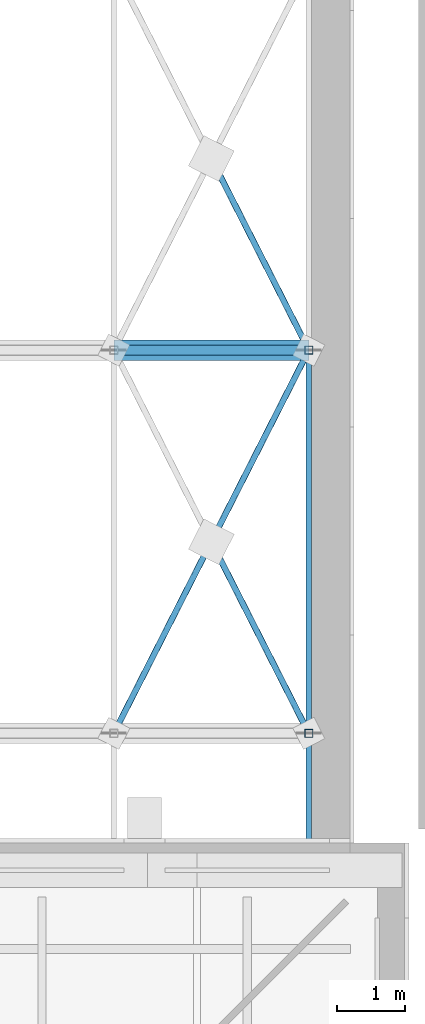
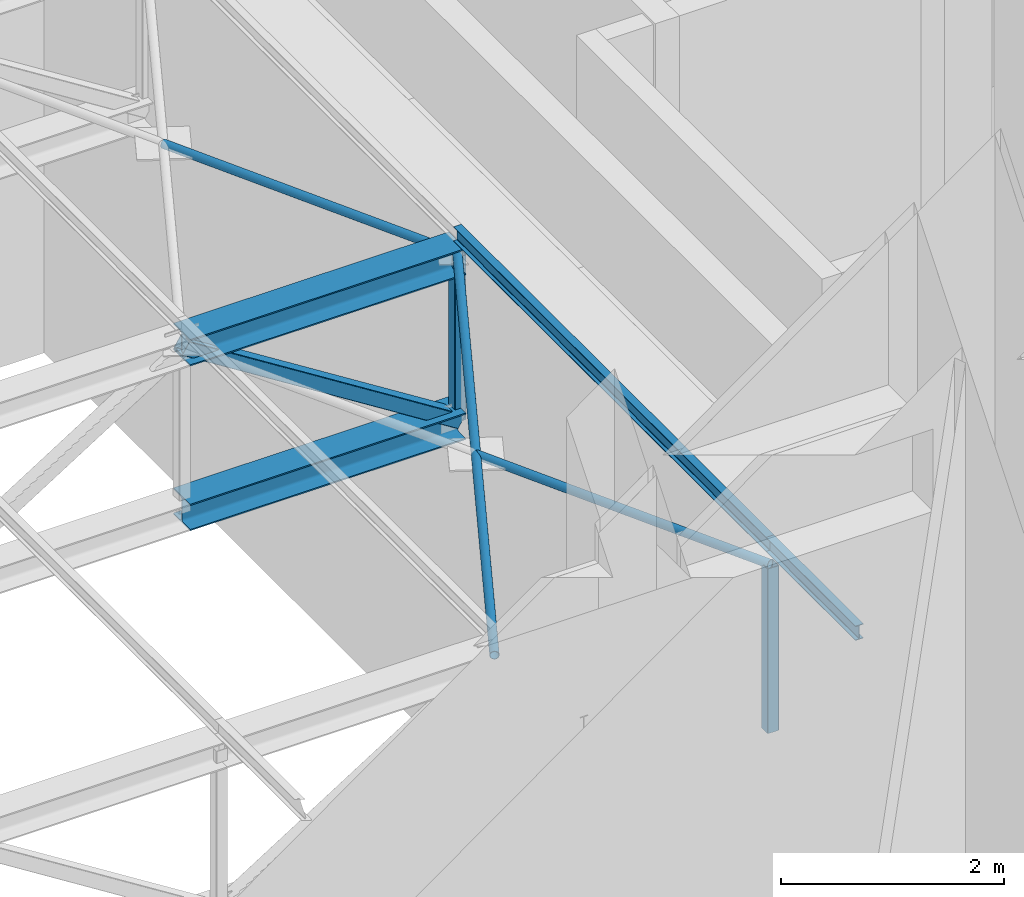
# One storey, part 41 of 55: 10 members.
"""IFC4 building model written with IfcOpenShell, lengths in metres."""

from ifc_helpers import new_model, si_unit, direction, frame, origin, origin_2d, place, context, subcontext, project, spatial, hollow_rectangle, hollow_circle, i_section, extrude, material, material_profile, profile_set, type_object, element, save


model = new_model("IFC4")

# Units and contexts
model_context = context("Model", 3, precision=1e-05, world=origin(), true_north=direction((0.0, 1.0)))
body_context = subcontext(model_context, "Body", "Model", "MODEL_VIEW")
ifc_project = project(units=[si_unit("LENGTHUNIT", "METRE"), si_unit("AREAUNIT", "SQUARE_METRE"), si_unit("VOLUMEUNIT", "CUBIC_METRE"), si_unit("PLANEANGLEUNIT", "RADIAN"), si_unit("MASSUNIT", "GRAM", prefix="KILO")], contexts=[model_context])

# Site, building, storey
site_placement = place(None, origin())
site = spatial("IfcSite", under=ifc_project, at=site_placement, CompositionType="ELEMENT")
building_placement = place(site_placement, origin())
building = spatial("IfcBuilding", under=site, at=building_placement, Name="Lunette Opera House", CompositionType="ELEMENT")
storey_placement = place(building_placement, frame((0.0, 0.0, 34.0)))
storey = spatial("IfcBuildingStorey", under=building, at=storey_placement, Name="L06", CompositionType="ELEMENT", Elevation=34.0)

# Members
ifc_material_1 = material(Name="Steel S355", Category="steel")
ifc_material_profile_1 = material_profile(ifc_material_1, hollow_circle(Radius=0.04443359375, WallThickness=0.00390625, at=origin_2d()), Name="CHS 88.9X4")
ifc_profile_set_1 = profile_set([ifc_material_profile_1], Name="Steel S355")
member_type_1 = type_object("IfcMemberType", Name="BRACING CHS 88.9X4", PredefinedType="BRACE", material=ifc_profile_set_1)
member_1_placement = place(storey_placement, frame((104.550048828125, 122.39990234375, 5.574951171875), z_axis=(0.453543338002, 0.891234223173, 0.0), x_axis=(-0.891234223173, 0.453543338002, 0.0)))
element("IfcMember", 1, at=member_1_placement, inside=storey, type_object=member_type_1, Name="mem-ST-L06-SR-TR-BRQ1P8A", PredefinedType="BRACE", context=body_context, shape_type="SweptSolid", body=[
    extrude(hollow_circle(Radius=0.04443359375, WallThickness=0.00390625, at=origin_2d()), origin(), (0.0, 0.0, 1.0), 6.283447265625),
])
for number, where, z_axis, x_axis, name in (
    (2, (107.39990234375, 122.39990234375, 5.574951171875), (-0.453512475474, 0.891249928241, 0.0), (-0.891249928241, -0.453512475474, 0.0), "mem-ST-L06-SR-TR-BRQ1P8B segment 1"),
    (3, (107.39990234375, 128.0, 5.574951171875), (-0.453512475474, 0.891249928241, 0.0), (-0.891249928241, -0.453512475474, 0.0), "mem-ST-L06-SR-TR-BRQ2P8B segment 1"),
):
    element("IfcMember", number, at=place(storey_placement, frame(where, z_axis=z_axis, x_axis=x_axis)), inside=storey, type_object=member_type_1, Name=name, PredefinedType="BRACE", context=body_context, shape_type="SweptSolid", body=[
        extrude(hollow_circle(Radius=0.04443359375, WallThickness=0.00390625, at=origin_2d()), origin(), (0.0, 0.0, 1.0), 3.1416015625),
    ])
ifc_material_2 = material(Name="Steel S355", Category="steel")
ifc_material_profile_2 = material_profile(ifc_material_2, i_section(OverallWidth=0.300048828125, OverallDepth=0.2900390625, WebThickness=0.008544921875, FlangeThickness=0.013916015625, FilletRadius=0.027099609375, at=origin_2d()), Name="HEA 300")
ifc_profile_set_2 = profile_set([ifc_material_profile_2], Name="Steel S355")
member_type_2 = type_object("IfcMemberType", Name="CHORD HEA 300", PredefinedType="CHORD", material=ifc_profile_set_2)
for number, where, z_axis, x_axis, name in (
    (4, (104.550048828125, 128.0, 5.574951171875), (1.0, 0.0, 0.0), (0.0, 1.0, 0.0), "mem-ST-L06-SR-TR02-TC8"),
    (5, (104.550048828125, 128.0, 3.77490234375), (1.0, 0.0, 0.0), (0.0, 1.0, 0.0), "mem-ST-L06-SR-TR02-BC8"),
):
    element("IfcMember", number, at=place(storey_placement, frame(where, z_axis=z_axis, x_axis=x_axis)), inside=storey, type_object=member_type_2, Name=name, PredefinedType="CHORD", context=body_context, shape_type="SweptSolid", body=[
        extrude(i_section(OverallWidth=0.300048828125, OverallDepth=0.2900390625, WebThickness=0.008544921875, FlangeThickness=0.013916015625, FilletRadius=0.027099609375, at=origin_2d()), origin(), (0.0, 0.0, 1.0), 2.849853515625),
    ])
ifc_material_3 = material(Name="Steel S355", Category="steel")
ifc_material_profile_3 = material_profile(ifc_material_3, hollow_rectangle(XDim=0.14990234375, YDim=0.14990234375, WallThickness=0.006103515625, InnerFilletRadius=0.006103515625, OuterFilletRadius=0.011962890625, at=origin_2d()), Name="RHS 150X150X6")
ifc_profile_set_3 = profile_set([ifc_material_profile_3], Name="Steel S355")
member_type_3 = type_object("IfcMemberType", Name="DIAGONAL RHS 150X150X6", PredefinedType="BRACE", material=ifc_profile_set_3)
member_2_placement = place(storey_placement, frame((104.550048828125, 128.0, 5.574951171875), z_axis=(0.845469970423, 0.0, -0.53402296684), x_axis=(0.0, 1.0, 0.0)))
element("IfcMember", 6, at=member_2_placement, inside=storey, type_object=member_type_3, Name="mem-ST-L06-SR-TR02-TD8", PredefinedType="BRACE", context=body_context, shape_type="SweptSolid", body=[
    extrude(hollow_rectangle(XDim=0.14990234375, YDim=0.14990234375, WallThickness=0.006103515625, InnerFilletRadius=0.006103515625, OuterFilletRadius=0.011962890625, at=origin_2d()), origin(), (0.0, 0.0, 1.0), 3.370849609375),
])
ifc_material_4 = material(Name="Steel S355", Category="steel")
ifc_material_profile_4 = material_profile(ifc_material_4, i_section(OverallWidth=0.08203125, OverallDepth=0.159912109375, WebThickness=0.0048828125, FlangeThickness=0.00732421875, FilletRadius=0.009033203125, at=origin_2d()), Name="IPE 160")
ifc_profile_set_4 = profile_set([ifc_material_profile_4], Name="Steel S355")
member_type_4 = type_object("IfcMemberType", Name="PURLIN IPE 160", PredefinedType="PURLIN", material=ifc_profile_set_4)
member_3_placement = place(storey_placement, frame((107.39990234375, 120.800048828125, 5.800048828125), z_axis=(0.0, 1.0, 0.0), x_axis=(-1.0, 0.0, 0.0)))
element("IfcMember", 7, at=member_3_placement, inside=storey, type_object=member_type_4, Name="mem-ST-L06-SR-TR-PU9-1", PredefinedType="PURLIN", context=body_context, shape_type="SweptSolid", body=[
    extrude(i_section(OverallWidth=0.08203125, OverallDepth=0.159912109375, WebThickness=0.0048828125, FlangeThickness=0.00732421875, FilletRadius=0.009033203125, at=origin_2d()), origin(), (0.0, 0.0, 1.0), 1.599853515625),
])
member_4_placement = place(storey_placement, frame((107.39990234375, 122.39990234375, 5.800048828125), z_axis=(0.0, 1.0, 0.0), x_axis=(-1.0, 0.0, 0.0)))
element("IfcMember", 8, at=member_4_placement, inside=storey, type_object=member_type_4, Name="mem-ST-L06-SR-TR-PU9-2", PredefinedType="PURLIN", context=body_context, shape_type="SweptSolid", body=[
    extrude(i_section(OverallWidth=0.08203125, OverallDepth=0.159912109375, WebThickness=0.0048828125, FlangeThickness=0.00732421875, FilletRadius=0.009033203125, at=origin_2d()), origin(), (0.0, 0.0, 1.0), 5.60009765625),
])
ifc_material_5 = material(Name="Steel S355", Category="steel")
ifc_material_profile_5 = material_profile(ifc_material_5, hollow_rectangle(XDim=0.1201171875, YDim=0.1201171875, WallThickness=0.0048828125, InnerFilletRadius=0.0048828125, OuterFilletRadius=0.010009765625, at=origin_2d()), Name="RHS 120X120X5")
ifc_profile_set_5 = profile_set([ifc_material_profile_5], Name="Steel S355")
member_type_5 = type_object("IfcMemberType", Name="VERTICAL RHS 120X120X5", PredefinedType="POST", material=ifc_profile_set_5)
for number, where, z_axis, x_axis, name in (
    (9, (107.39990234375, 122.39990234375, 3.77490234375), (0.0, 0.0, 1.0), (1.0, 0.0, 0.0), "mem-ST-L06-SR-TR01-TV9"),
    (10, (107.39990234375, 128.0, 3.77490234375), (0.0, 0.0, 1.0), (1.0, 0.0, 0.0), "mem-ST-L06-SR-TR02-TV9"),
):
    element("IfcMember", number, at=place(storey_placement, frame(where, z_axis=z_axis, x_axis=x_axis)), inside=storey, type_object=member_type_5, Name=name, PredefinedType="POST", context=body_context, shape_type="SweptSolid", body=[
        extrude(hollow_rectangle(XDim=0.1201171875, YDim=0.1201171875, WallThickness=0.0048828125, InnerFilletRadius=0.0048828125, OuterFilletRadius=0.010009765625, at=origin_2d()), origin(), (0.0, 0.0, 1.0), 1.800048828125),
    ])

save(model, "model.ifc")
